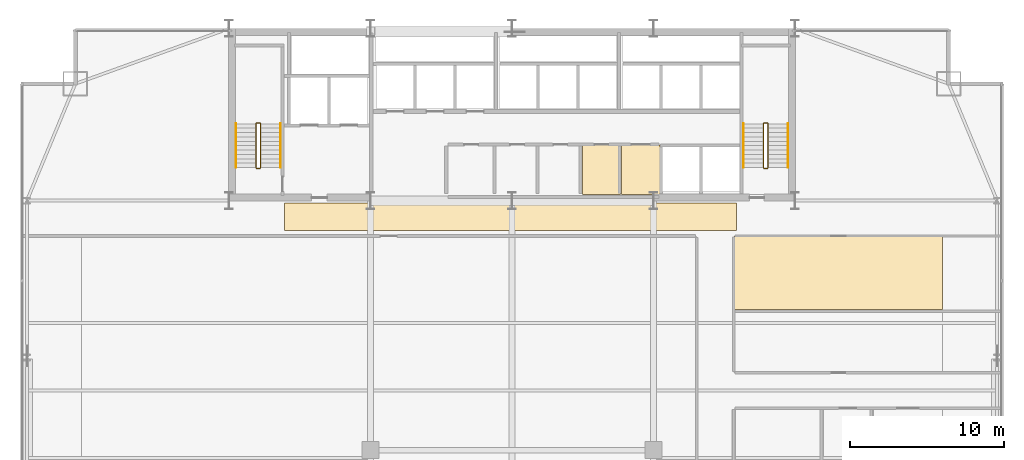
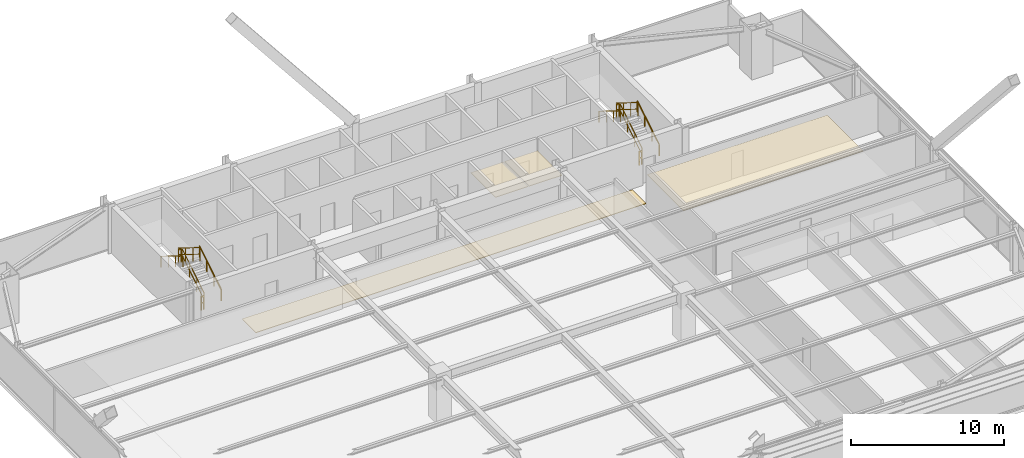
# One storey, part 35 of 35: 12 railings, 4 coverings.
"""IFC4 building model written with IfcOpenShell, lengths in metres."""

from ifc_helpers import new_model, si_unit, direction, frame, origin, origin_2d, place, context, subcontext, project, spatial, polyline, rectangle, outline, extrude, material, layer, layer_set, type_object, element, save


model = new_model("IFC4")

# Units and contexts
model_context = context("Model", 3, precision=1e-05, world=origin(), true_north=direction((0.0, 1.0)))
body_context = subcontext(model_context, "Body", "Model", "MODEL_VIEW")
ifc_project = project(units=[si_unit("LENGTHUNIT", "METRE"), si_unit("AREAUNIT", "SQUARE_METRE"), si_unit("VOLUMEUNIT", "CUBIC_METRE"), si_unit("PLANEANGLEUNIT", "RADIAN"), si_unit("MASSUNIT", "GRAM", prefix="KILO")], contexts=[model_context])

# Site, building, storey
site_placement = place(None, origin())
site = spatial("IfcSite", under=ifc_project, at=site_placement, CompositionType="ELEMENT")
building_placement = place(site_placement, origin())
building = spatial("IfcBuilding", under=site, at=building_placement, Name="Varnel Quay Broadcast Tower", CompositionType="ELEMENT")
storey_placement = place(building_placement, frame((0.0, 0.0, 66.60009765625)))
storey = spatial("IfcBuildingStorey", under=building, at=storey_placement, Name="L15", CompositionType="ELEMENT", Elevation=66.60009765625)

# Coverings
ifc_material_1 = material(Name="Micro-Perforated Acoustic Ceiling Tile")
ifc_layer_1 = layer(ifc_material_1, 0.0400390625, Name="Micro-Perforated Acoustic Ceiling Tile")
ifc_layer_set_1 = layer_set([ifc_layer_1], Name="Micro-Perforated Acoustic Ceiling Tile")
covering_type_1 = type_object("IfcCoveringType", Name="Cov_AcousticCeiling", PredefinedType="CEILING", material=ifc_layer_set_1)
covering_1_placement = place(storey_placement, frame((0.0, 0.0, 2.579833984375)))
element("IfcCovering", 1, at=covering_1_placement, inside=storey, type_object=covering_type_1, Name="L15 Cleaners' & Linen Store Acoustic Ceiling", PredefinedType="CEILING", context=body_context, shape_type="SweptSolid", body=[
    extrude(outline(polyline([(38.5849609375, 35.985107421875), (41.06494140625, 35.985107421875), (41.06494140625, 39.215087890625), (38.5849609375, 39.215087890625), (38.5849609375, 35.985107421875)])), origin(), (0.0, 0.0, 1.0), 0.0400390625),
])
covering_2_placement = place(storey_placement, frame((0.0, 0.0, 2.579833984375)))
element("IfcCovering", 2, at=covering_2_placement, inside=storey, type_object=covering_type_1, Name="L15 Telecom IDF Closet Acoustic Ceiling", PredefinedType="CEILING", context=body_context, shape_type="SweptSolid", body=[
    extrude(outline(polyline([(41.135009765625, 35.985107421875), (43.614990234375, 35.985107421875), (43.614990234375, 39.215087890625), (41.135009765625, 39.215087890625), (41.135009765625, 35.985107421875)])), origin(), (0.0, 0.0, 1.0), 0.0400390625),
])
covering_3_placement = place(storey_placement, frame((0.0, 0.0, 2.579833984375)))
element("IfcCovering", 3, at=covering_3_placement, inside=storey, type_object=covering_type_1, Name="L15 Bureau Office 6 Acoustic Ceiling", PredefinedType="CEILING", context=body_context, shape_type="SweptSolid", body=[
    extrude(outline(polyline([(48.455078125, 28.534912109375), (62.014892578125, 28.534912109375), (62.014892578125, 33.264892578125), (48.455078125, 33.264892578125), (48.455078125, 28.534912109375)])), origin(), (0.0, 0.0, 1.0), 0.0400390625),
])
ifc_material_2 = material(Name="Polished Terrazzo & Broadcast Raised Flooring")
ifc_layer_2 = layer(ifc_material_2, 0.0400390625, Name="Polished Terrazzo & Broadcast Raised Flooring")
ifc_layer_set_2 = layer_set([ifc_layer_2], Name="Polished Terrazzo & Broadcast Raised Flooring")
covering_type_2 = type_object("IfcCoveringType", Name="Cov_TerrazzoFloor", PredefinedType="FLOORING", material=ifc_layer_set_2)
covering_4_placement = place(storey_placement, origin())
element("IfcCovering", 4, at=covering_4_placement, inside=storey, type_object=covering_type_2, Name="L15 Corridor Terrazzo Flooring", PredefinedType="FLOORING", context=body_context, shape_type="SweptSolid", body=[
    extrude(outline(polyline([(19.199951171875, 33.64990234375), (48.60009765625, 33.64990234375), (48.60009765625, 35.449951171875), (19.199951171875, 35.449951171875), (19.199951171875, 33.64990234375)])), origin(), (0.0, 0.0, 1.0), 0.039794921875),
])

# Railings
ifc_material_3 = material(Name="Painted Steel Guard and Handrail CSA G40.21 350W", Category="steel")
railing_type_1 = type_object("IfcRailingType", Name="Rail_StairGuard1100", PredefinedType="GUARDRAIL", material=ifc_material_3)
railing_1_placement = place(storey_placement, frame((17.64990234375, 37.75, 0.17724609375)))
element("IfcRailing", 5, at=railing_1_placement, inside=storey, type_object=railing_type_1, Name="L15 ST-01 stair guard 1", PredefinedType="GUARDRAIL", context=body_context, shape_type="SweptSolid", body=[
    extrude(rectangle(XDim=0.048095703125, YDim=0.048095703125, at=origin_2d()), frame((0.0, 0.0, 1.076171875), z_axis=(0.0, 0.849148672731, 0.528153890072), x_axis=(-1.0, 0.0, 0.0)), (0.0, 0.0, 1.0), 3.3564453125),
    extrude(rectangle(XDim=0.048095703125, YDim=0.048095703125, at=origin_2d()), frame((0.0, 0.0, 0.550048828125), z_axis=(0.0, 0.849148672731, 0.528153890072), x_axis=(-1.0, 0.0, 0.0)), (0.0, 0.0, 1.0), 3.3564453125),
    extrude(rectangle(XDim=0.0419921875, YDim=0.0419921875, at=origin_2d()), origin(), (0.0, 0.0, 1.0), 1.052001953125),
    extrude(rectangle(XDim=0.0419921875, YDim=0.0419921875, at=origin_2d()), frame((0.0, 0.949951171875, 0.5908203125)), (0.0, 0.0, 1.0), 1.052001953125),
    extrude(rectangle(XDim=0.0419921875, YDim=0.0419921875, at=origin_2d()), frame((0.0, 1.900146484375, 1.181884765625)), (0.0, 0.0, 1.0), 1.052001953125),
    extrude(rectangle(XDim=0.0419921875, YDim=0.0419921875, at=origin_2d()), frame((0.0, 2.85009765625, 1.772705078125)), (0.0, 0.0, 1.0), 1.052001953125),
])
railing_2_placement = place(storey_placement, frame((17.60009765625, 40.64990234375, 1.949951171875)))
element("IfcRailing", 6, at=railing_2_placement, inside=storey, type_object=railing_type_1, Name="L15 ST-01 stair guard 2", PredefinedType="GUARDRAIL", context=body_context, shape_type="SweptSolid", body=[
    extrude(rectangle(XDim=0.048095703125, YDim=0.048095703125, at=origin_2d()), frame((0.0, 0.0, 1.076171875), z_axis=(-1.0, 0.0, 0.0), x_axis=(0.0, -1.0, 0.0)), (0.0, 0.0, 1.0), 0.2001953125),
    extrude(rectangle(XDim=0.048095703125, YDim=0.048095703125, at=origin_2d()), frame((0.0, 0.0, 0.550048828125), z_axis=(-1.0, 0.0, 0.0), x_axis=(0.0, -1.0, 0.0)), (0.0, 0.0, 1.0), 0.2001953125),
    extrude(rectangle(XDim=0.0419921875, YDim=0.0419921875, at=origin_2d()), origin(), (0.0, 0.0, 1.0), 1.052001953125),
    extrude(rectangle(XDim=0.0419921875, YDim=0.0419921875, at=origin_2d()), frame((-0.2001953125, 0.0, 0.0)), (0.0, 0.0, 1.0), 1.052001953125),
])
railing_3_placement = place(storey_placement, frame((17.35009765625, 40.60009765625, 2.127197265625)))
element("IfcRailing", 7, at=railing_3_placement, inside=storey, type_object=railing_type_1, Name="L15 ST-01 stair guard 3", PredefinedType="GUARDRAIL", context=body_context, shape_type="SweptSolid", body=[
    extrude(rectangle(XDim=0.048095703125, YDim=0.048095703125, at=origin_2d()), frame((0.0, 0.0, 1.076171875), z_axis=(0.0, -0.849148672731, 0.528153890072), x_axis=(1.0, 0.0, 0.0)), (0.0, 0.0, 1.0), 3.3564453125),
    extrude(rectangle(XDim=0.048095703125, YDim=0.048095703125, at=origin_2d()), frame((0.0, 0.0, 0.550048828125), z_axis=(0.0, -0.849148672731, 0.528153890072), x_axis=(1.0, 0.0, 0.0)), (0.0, 0.0, 1.0), 3.3564453125),
    extrude(rectangle(XDim=0.0419921875, YDim=0.0419921875, at=origin_2d()), origin(), (0.0, 0.0, 1.0), 1.052001953125),
    extrude(rectangle(XDim=0.0419921875, YDim=0.0419921875, at=origin_2d()), frame((0.0, -0.949951171875, 0.5908203125)), (0.0, 0.0, 1.0), 1.052001953125),
    extrude(rectangle(XDim=0.0419921875, YDim=0.0419921875, at=origin_2d()), frame((0.0, -1.900146484375, 1.181884765625)), (0.0, 0.0, 1.0), 1.052001953125),
    extrude(rectangle(XDim=0.0419921875, YDim=0.0419921875, at=origin_2d()), frame((0.0, -2.85009765625, 1.772705078125)), (0.0, 0.0, 1.0), 1.052001953125),
])
railing_4_placement = place(storey_placement, frame((17.60009765625, 37.699951171875, 0.0)))
element("IfcRailing", 8, at=railing_4_placement, inside=storey, type_object=railing_type_1, Name="L15 ST-01 stair guard 4", PredefinedType="GUARDRAIL", context=body_context, shape_type="SweptSolid", body=[
    extrude(rectangle(XDim=0.048095703125, YDim=0.048095703125, at=origin_2d()), frame((0.0, 0.0, 1.076171875), z_axis=(-1.0, 0.0, 0.0), x_axis=(0.0, -1.0, 0.0)), (0.0, 0.0, 1.0), 0.2001953125),
    extrude(rectangle(XDim=0.048095703125, YDim=0.048095703125, at=origin_2d()), frame((0.0, 0.0, 0.550048828125), z_axis=(-1.0, 0.0, 0.0), x_axis=(0.0, -1.0, 0.0)), (0.0, 0.0, 1.0), 0.2001953125),
    extrude(rectangle(XDim=0.0419921875, YDim=0.0419921875, at=origin_2d()), origin(), (0.0, 0.0, 1.0), 1.052001953125),
    extrude(rectangle(XDim=0.0419921875, YDim=0.0419921875, at=origin_2d()), frame((-0.2001953125, 0.0, 0.0)), (0.0, 0.0, 1.0), 1.052001953125),
])
railing_5_placement = place(storey_placement, frame((50.64990234375, 37.75, 0.17724609375)))
element("IfcRailing", 9, at=railing_5_placement, inside=storey, type_object=railing_type_1, Name="L15 ST-02 stair guard 1", PredefinedType="GUARDRAIL", context=body_context, shape_type="SweptSolid", body=[
    extrude(rectangle(XDim=0.048095703125, YDim=0.048095703125, at=origin_2d()), frame((0.0, 0.0, 1.076171875), z_axis=(0.0, 0.849148672731, 0.528153890072), x_axis=(-1.0, 0.0, 0.0)), (0.0, 0.0, 1.0), 3.3564453125),
    extrude(rectangle(XDim=0.048095703125, YDim=0.048095703125, at=origin_2d()), frame((0.0, 0.0, 0.550048828125), z_axis=(0.0, 0.849148672731, 0.528153890072), x_axis=(-1.0, 0.0, 0.0)), (0.0, 0.0, 1.0), 3.3564453125),
    extrude(rectangle(XDim=0.0419921875, YDim=0.0419921875, at=origin_2d()), origin(), (0.0, 0.0, 1.0), 1.052001953125),
    extrude(rectangle(XDim=0.0419921875, YDim=0.0419921875, at=origin_2d()), frame((0.0, 0.949951171875, 0.5908203125)), (0.0, 0.0, 1.0), 1.052001953125),
    extrude(rectangle(XDim=0.0419921875, YDim=0.0419921875, at=origin_2d()), frame((0.0, 1.900146484375, 1.181884765625)), (0.0, 0.0, 1.0), 1.052001953125),
    extrude(rectangle(XDim=0.0419921875, YDim=0.0419921875, at=origin_2d()), frame((0.0, 2.85009765625, 1.772705078125)), (0.0, 0.0, 1.0), 1.052001953125),
])
railing_6_placement = place(storey_placement, frame((50.60009765625, 40.64990234375, 1.949951171875)))
element("IfcRailing", 10, at=railing_6_placement, inside=storey, type_object=railing_type_1, Name="L15 ST-02 stair guard 2", PredefinedType="GUARDRAIL", context=body_context, shape_type="SweptSolid", body=[
    extrude(rectangle(XDim=0.048095703125, YDim=0.048095703125, at=origin_2d()), frame((0.0, 0.0, 1.076171875), z_axis=(-1.0, 0.0, 0.0), x_axis=(0.0, -1.0, 0.0)), (0.0, 0.0, 1.0), 0.2001953125),
    extrude(rectangle(XDim=0.048095703125, YDim=0.048095703125, at=origin_2d()), frame((0.0, 0.0, 0.550048828125), z_axis=(-1.0, 0.0, 0.0), x_axis=(0.0, -1.0, 0.0)), (0.0, 0.0, 1.0), 0.2001953125),
    extrude(rectangle(XDim=0.0419921875, YDim=0.0419921875, at=origin_2d()), origin(), (0.0, 0.0, 1.0), 1.052001953125),
    extrude(rectangle(XDim=0.0419921875, YDim=0.0419921875, at=origin_2d()), frame((-0.2001953125, 0.0, 0.0)), (0.0, 0.0, 1.0), 1.052001953125),
])
railing_7_placement = place(storey_placement, frame((50.35009765625, 40.60009765625, 2.127197265625)))
element("IfcRailing", 11, at=railing_7_placement, inside=storey, type_object=railing_type_1, Name="L15 ST-02 stair guard 3", PredefinedType="GUARDRAIL", context=body_context, shape_type="SweptSolid", body=[
    extrude(rectangle(XDim=0.048095703125, YDim=0.048095703125, at=origin_2d()), frame((0.0, 0.0, 1.076171875), z_axis=(0.0, -0.849148672731, 0.528153890072), x_axis=(1.0, 0.0, 0.0)), (0.0, 0.0, 1.0), 3.3564453125),
    extrude(rectangle(XDim=0.048095703125, YDim=0.048095703125, at=origin_2d()), frame((0.0, 0.0, 0.550048828125), z_axis=(0.0, -0.849148672731, 0.528153890072), x_axis=(1.0, 0.0, 0.0)), (0.0, 0.0, 1.0), 3.3564453125),
    extrude(rectangle(XDim=0.0419921875, YDim=0.0419921875, at=origin_2d()), origin(), (0.0, 0.0, 1.0), 1.052001953125),
    extrude(rectangle(XDim=0.0419921875, YDim=0.0419921875, at=origin_2d()), frame((0.0, -0.949951171875, 0.5908203125)), (0.0, 0.0, 1.0), 1.052001953125),
    extrude(rectangle(XDim=0.0419921875, YDim=0.0419921875, at=origin_2d()), frame((0.0, -1.900146484375, 1.181884765625)), (0.0, 0.0, 1.0), 1.052001953125),
    extrude(rectangle(XDim=0.0419921875, YDim=0.0419921875, at=origin_2d()), frame((0.0, -2.85009765625, 1.772705078125)), (0.0, 0.0, 1.0), 1.052001953125),
])
railing_8_placement = place(storey_placement, frame((50.60009765625, 37.699951171875, 0.0)))
element("IfcRailing", 12, at=railing_8_placement, inside=storey, type_object=railing_type_1, Name="L15 ST-02 stair guard 4", PredefinedType="GUARDRAIL", context=body_context, shape_type="SweptSolid", body=[
    extrude(rectangle(XDim=0.048095703125, YDim=0.048095703125, at=origin_2d()), frame((0.0, 0.0, 1.076171875), z_axis=(-1.0, 0.0, 0.0), x_axis=(0.0, -1.0, 0.0)), (0.0, 0.0, 1.0), 0.2001953125),
    extrude(rectangle(XDim=0.048095703125, YDim=0.048095703125, at=origin_2d()), frame((0.0, 0.0, 0.550048828125), z_axis=(-1.0, 0.0, 0.0), x_axis=(0.0, -1.0, 0.0)), (0.0, 0.0, 1.0), 0.2001953125),
    extrude(rectangle(XDim=0.0419921875, YDim=0.0419921875, at=origin_2d()), origin(), (0.0, 0.0, 1.0), 1.052001953125),
    extrude(rectangle(XDim=0.0419921875, YDim=0.0419921875, at=origin_2d()), frame((-0.2001953125, 0.0, 0.0)), (0.0, 0.0, 1.0), 1.052001953125),
])
railing_type_2 = type_object("IfcRailingType", Name="Rail_StairHandrail900", PredefinedType="HANDRAIL", material=ifc_material_3)
railing_9_placement = place(storey_placement, frame((18.949951171875, 37.75, 0.17724609375)))
element("IfcRailing", 13, at=railing_9_placement, inside=storey, type_object=railing_type_2, Name="L15 ST-01 stair handrail 1", PredefinedType="HANDRAIL", context=body_context, shape_type="SweptSolid", body=[
    extrude(rectangle(XDim=0.048095703125, YDim=0.048095703125, at=origin_2d()), frame((0.0, 0.0, 0.8759765625), z_axis=(0.0, 0.849148672731, 0.528153890072), x_axis=(-1.0, 0.0, 0.0)), (0.0, 0.0, 1.0), 3.3564453125),
    extrude(rectangle(XDim=0.0419921875, YDim=0.0419921875, at=origin_2d()), origin(), (0.0, 0.0, 1.0), 0.851806640625),
    extrude(rectangle(XDim=0.0419921875, YDim=0.0419921875, at=origin_2d()), frame((0.0, 0.949951171875, 0.5908203125)), (0.0, 0.0, 1.0), 0.851806640625),
    extrude(rectangle(XDim=0.0419921875, YDim=0.0419921875, at=origin_2d()), frame((0.0, 1.900146484375, 1.181884765625)), (0.0, 0.0, 1.0), 0.851806640625),
    extrude(rectangle(XDim=0.0419921875, YDim=0.0419921875, at=origin_2d()), frame((0.0, 2.85009765625, 1.772705078125)), (0.0, 0.0, 1.0), 0.851806640625),
])
railing_10_placement = place(storey_placement, frame((16.050048828125, 40.60009765625, 2.127197265625)))
element("IfcRailing", 14, at=railing_10_placement, inside=storey, type_object=railing_type_2, Name="L15 ST-01 stair handrail 2", PredefinedType="HANDRAIL", context=body_context, shape_type="SweptSolid", body=[
    extrude(rectangle(XDim=0.048095703125, YDim=0.048095703125, at=origin_2d()), frame((0.0, 0.0, 0.8759765625), z_axis=(0.0, -0.849148672731, 0.528153890072), x_axis=(1.0, 0.0, 0.0)), (0.0, 0.0, 1.0), 3.3564453125),
    extrude(rectangle(XDim=0.0419921875, YDim=0.0419921875, at=origin_2d()), origin(), (0.0, 0.0, 1.0), 0.851806640625),
    extrude(rectangle(XDim=0.0419921875, YDim=0.0419921875, at=origin_2d()), frame((0.0, -0.949951171875, 0.5908203125)), (0.0, 0.0, 1.0), 0.851806640625),
    extrude(rectangle(XDim=0.0419921875, YDim=0.0419921875, at=origin_2d()), frame((0.0, -1.900146484375, 1.181884765625)), (0.0, 0.0, 1.0), 0.851806640625),
    extrude(rectangle(XDim=0.0419921875, YDim=0.0419921875, at=origin_2d()), frame((0.0, -2.85009765625, 1.772705078125)), (0.0, 0.0, 1.0), 0.851806640625),
])
railing_11_placement = place(storey_placement, frame((51.949951171875, 37.75, 0.17724609375)))
element("IfcRailing", 15, at=railing_11_placement, inside=storey, type_object=railing_type_2, Name="L15 ST-02 stair handrail 1", PredefinedType="HANDRAIL", context=body_context, shape_type="SweptSolid", body=[
    extrude(rectangle(XDim=0.048095703125, YDim=0.048095703125, at=origin_2d()), frame((0.0, 0.0, 0.8759765625), z_axis=(0.0, 0.849148672731, 0.528153890072), x_axis=(-1.0, 0.0, 0.0)), (0.0, 0.0, 1.0), 3.3564453125),
    extrude(rectangle(XDim=0.0419921875, YDim=0.0419921875, at=origin_2d()), origin(), (0.0, 0.0, 1.0), 0.851806640625),
    extrude(rectangle(XDim=0.0419921875, YDim=0.0419921875, at=origin_2d()), frame((0.0, 0.949951171875, 0.5908203125)), (0.0, 0.0, 1.0), 0.851806640625),
    extrude(rectangle(XDim=0.0419921875, YDim=0.0419921875, at=origin_2d()), frame((0.0, 1.900146484375, 1.181884765625)), (0.0, 0.0, 1.0), 0.851806640625),
    extrude(rectangle(XDim=0.0419921875, YDim=0.0419921875, at=origin_2d()), frame((0.0, 2.85009765625, 1.772705078125)), (0.0, 0.0, 1.0), 0.851806640625),
])
railing_12_placement = place(storey_placement, frame((49.050048828125, 40.60009765625, 2.127197265625)))
element("IfcRailing", 16, at=railing_12_placement, inside=storey, type_object=railing_type_2, Name="L15 ST-02 stair handrail 2", PredefinedType="HANDRAIL", context=body_context, shape_type="SweptSolid", body=[
    extrude(rectangle(XDim=0.048095703125, YDim=0.048095703125, at=origin_2d()), frame((0.0, 0.0, 0.8759765625), z_axis=(0.0, -0.849148672731, 0.528153890072), x_axis=(1.0, 0.0, 0.0)), (0.0, 0.0, 1.0), 3.3564453125),
    extrude(rectangle(XDim=0.0419921875, YDim=0.0419921875, at=origin_2d()), origin(), (0.0, 0.0, 1.0), 0.851806640625),
    extrude(rectangle(XDim=0.0419921875, YDim=0.0419921875, at=origin_2d()), frame((0.0, -0.949951171875, 0.5908203125)), (0.0, 0.0, 1.0), 0.851806640625),
    extrude(rectangle(XDim=0.0419921875, YDim=0.0419921875, at=origin_2d()), frame((0.0, -1.900146484375, 1.181884765625)), (0.0, 0.0, 1.0), 0.851806640625),
    extrude(rectangle(XDim=0.0419921875, YDim=0.0419921875, at=origin_2d()), frame((0.0, -2.85009765625, 1.772705078125)), (0.0, 0.0, 1.0), 0.851806640625),
])

save(model, "model.ifc")
